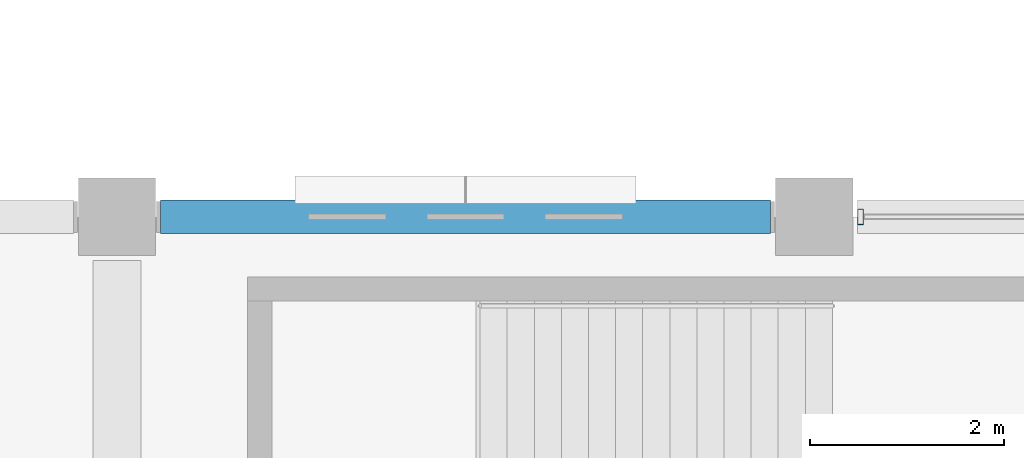
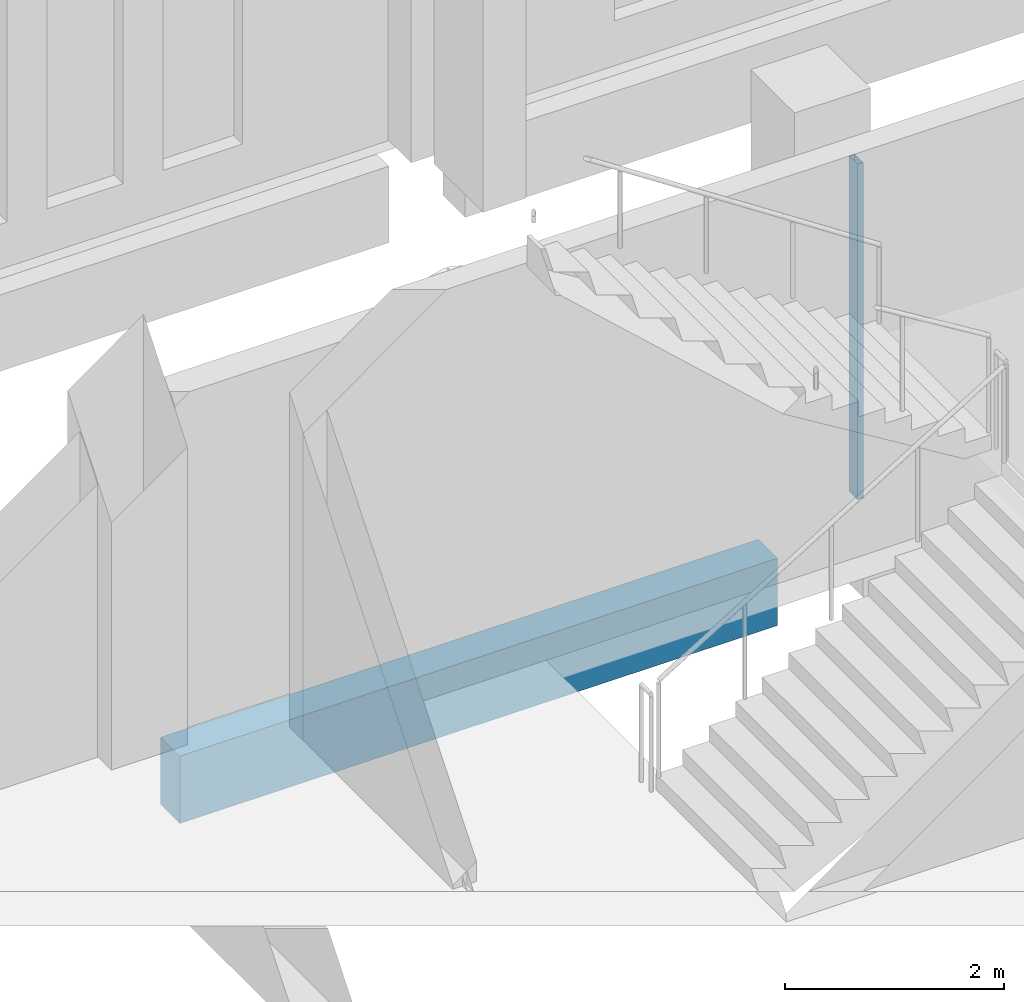
# One storey, part 95 of 220: 1 beam, 1 member, 1 element without a shape of its own.
"""IFC4 building model written with IfcOpenShell, lengths in metres."""

from ifc_helpers import new_model, si_unit, direction, frame, origin, origin_2d, place, context, subcontext, project, spatial, rectangle, hollow_rectangle, extrude, material, material_profile, profile_set, type_object, element, aggregate, save


model = new_model("IFC4")

# Units and contexts
model_context = context("Model", 3, precision=1e-05, world=origin(), true_north=direction((0.0, 1.0)))
body_context = subcontext(model_context, "Body", "Model", "MODEL_VIEW")
ifc_project = project(units=[si_unit("LENGTHUNIT", "METRE"), si_unit("AREAUNIT", "SQUARE_METRE"), si_unit("VOLUMEUNIT", "CUBIC_METRE"), si_unit("PLANEANGLEUNIT", "RADIAN"), si_unit("MASSUNIT", "GRAM", prefix="KILO")], contexts=[model_context])

# Site, building, storey
site_placement = place(None, origin())
site = spatial("IfcSite", under=ifc_project, at=site_placement, CompositionType="ELEMENT")
building_placement = place(site_placement, origin())
building = spatial("IfcBuilding", under=site, at=building_placement, Name="Cendralis Lancet Convention Centre", CompositionType="ELEMENT")
storey_placement = place(building_placement, frame((0.0, 0.0, 5.39990234375)))
storey = spatial("IfcBuildingStorey", under=building, at=storey_placement, Name="L01", CompositionType="ELEMENT", Elevation=5.39990234375)

# Curtain wall, member
ifc_material_1 = material(Name="Anodised bronze architectural aluminium", Category="aluminium")
curtain_wall_type = type_object("IfcCurtainWallType", Name="ARC-CW-CL02", PredefinedType="USERDEFINED", material=ifc_material_1)
curtain_wall_placement = place(storey_placement, origin())
curtain_wall = element("IfcCurtainWall", 1, at=curtain_wall_placement, inside=storey, type_object=curtain_wall_type, Name="L01 Curtain Wall CW-CL2 #183", ObjectType="CURTAIN WALL", PredefinedType="USERDEFINED")
ifc_material_profile_1 = material_profile(ifc_material_1, hollow_rectangle(XDim=0.06005859375, YDim=0.159912109375, WallThickness=0.00390625, at=origin_2d()), Name="AL-MULL 60x160x4.0")
ifc_profile_set_1 = profile_set([ifc_material_profile_1], Name="Anodised bronze architectural aluminium")
member_type = type_object("IfcMemberType", Name="ARC-CW-ML01", PredefinedType="MULLION", material=ifc_profile_set_1)
member_placement = place(storey_placement, frame((175.679931640625, 36.0, 0.0), z_axis=(0.0, 0.0, 1.0), x_axis=(1.0, 0.0, 0.0)))
member = element("IfcMember", 2, at=member_placement, type_object=member_type, Name="Mullion CW2-CW-CL2-L01-183-M0", PredefinedType="MULLION", context=body_context, shape_type="SweptSolid", body=[
    extrude(hollow_rectangle(XDim=0.06005859375, YDim=0.159912109375, WallThickness=0.00390625, at=origin_2d()), origin(), (0.0, 0.0, 1.0), 3.735107421875),
])
aggregate(curtain_wall, [member])

# Beam
ifc_material_2 = material(Name="Concrete G40 (C40/50)", Category="concrete")
ifc_material_profile_2 = material_profile(ifc_material_2, rectangle(XDim=0.35009765625, YDim=0.75, at=origin_2d()), Name="RCB 350x750")
ifc_profile_set_2 = profile_set([ifc_material_profile_2], Name="Concrete G40 (C40/50)")
beam_type = type_object("IfcBeamType", Name="STR-SP-SP01", PredefinedType="SPANDREL", material=ifc_profile_set_2)
beam_placement = place(storey_placement, frame((168.449951171875, 36.0, -0.65478515625), z_axis=(1.0, 0.0, 0.0), x_axis=(0.0, 1.0, 0.0)))
element("IfcBeam", 3, at=beam_placement, inside=storey, type_object=beam_type, Name="L01 Beam SP01 #0172", PredefinedType="SPANDREL", context=body_context, shape_type="SweptSolid", body=[
    extrude(rectangle(XDim=0.35009765625, YDim=0.75, at=origin_2d()), origin(), (0.0, 0.0, 1.0), 6.300048828125),
])

save(model, "model.ifc")
